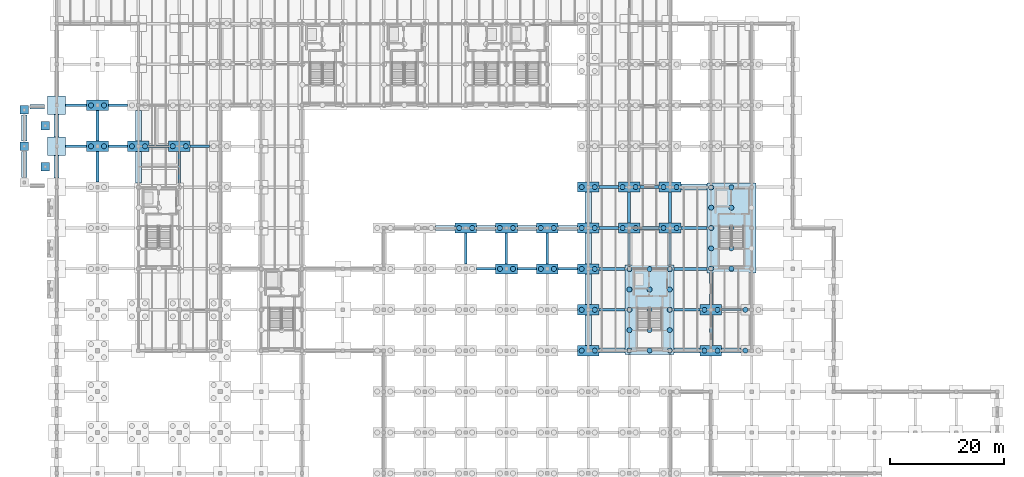
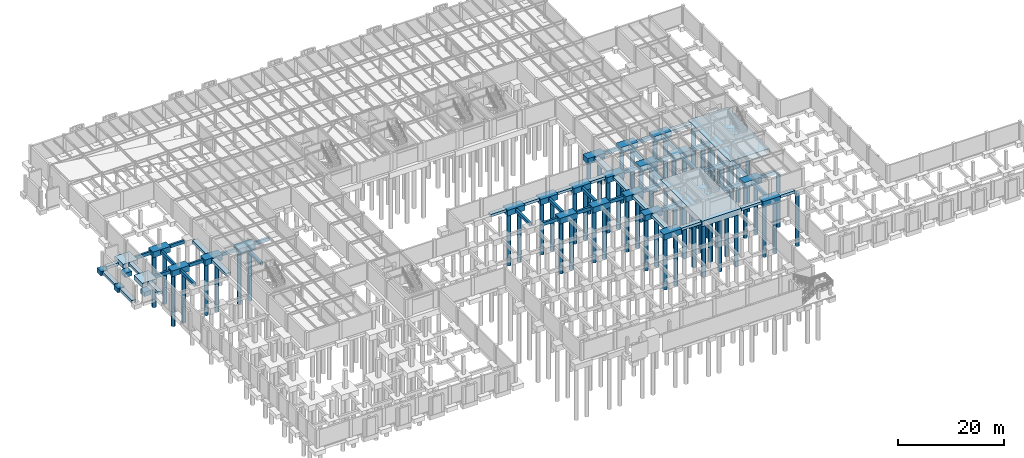
# One storey, part 5 of 46: 78 footings, 67 piles.
"""IFC4 building model written with IfcOpenShell, lengths in metres."""

from ifc_helpers import new_model, si_unit, direction, frame, origin, origin_2d, place, context, subcontext, project, spatial, rectangle, circle, extrude, material, material_profile, profile_set, type_object, element, save


model = new_model("IFC4")

# Units and contexts
model_context = context("Model", 3, precision=1e-05, world=origin(), true_north=direction((0.0, 1.0)))
body_context = subcontext(model_context, "Body", "Model", "MODEL_VIEW")
ifc_project = project(units=[si_unit("LENGTHUNIT", "METRE"), si_unit("AREAUNIT", "SQUARE_METRE"), si_unit("VOLUMEUNIT", "CUBIC_METRE"), si_unit("PLANEANGLEUNIT", "RADIAN"), si_unit("MASSUNIT", "GRAM", prefix="KILO")], contexts=[model_context])

# Site, building, storey
site_placement = place(None, origin())
site = spatial("IfcSite", under=ifc_project, at=site_placement, CompositionType="ELEMENT")
building_placement = place(site_placement, origin())
building = spatial("IfcBuilding", under=site, at=building_placement, Name="Sillqori Civic Hall", CompositionType="ELEMENT")
storey_placement = place(building_placement, frame((0.0, 0.0, -4.199951171875)))
storey = spatial("IfcBuildingStorey", under=building, at=storey_placement, Name="B01", CompositionType="ELEMENT", Elevation=-4.199951171875)

# Footings
ifc_material = material(Name="Concrete C35/45 (H35)", Category="concrete")
footing_type_1 = type_object("IfcFootingType", Name="FB-450X750", PredefinedType="FOOTING_BEAM", material=ifc_material)
for number, where, z_axis, x_axis, name in (
    (1, (10.64990234375, 72.0, -0.969970703125), (0.0, 0.0, 1.0), (1.0, 0.0, 0.0), "Seismic tie beam X 1-10"),
    (2, (10.64990234375, 79.199951171875, -0.969970703125), (0.0, 0.0, 1.0), (1.0, 0.0, 0.0), "Seismic tie beam X 1-11"),
):
    element("IfcFooting", number, at=place(storey_placement, frame(where, z_axis=z_axis, x_axis=x_axis)), inside=storey, type_object=footing_type_1, Name=name, PredefinedType="FOOTING_BEAM", context=body_context, shape_type="SweptSolid", body=[
        extrude(rectangle(XDim=3.699951171875, YDim=0.449951171875, at=origin_2d()), origin(), (0.0, 0.0, 1.0), 0.75),
    ])
footing_1_placement = place(storey_placement, frame((14.39990234375, 68.39990234375, -0.969970703125), z_axis=(0.0, 0.0, 1.0), x_axis=(1.0, 0.0, 0.0)))
element("IfcFooting", 3, at=footing_1_placement, inside=storey, type_object=footing_type_1, Name="Seismic tie beam Y 2-9", PredefinedType="FOOTING_BEAM", context=body_context, shape_type="SweptSolid", body=[
    extrude(rectangle(XDim=0.449951171875, YDim=5.39990234375, at=origin_2d()), origin(), (0.0, 0.0, 1.0), 0.75),
])
footing_2_placement = place(storey_placement, frame((18.0, 72.0, -0.969970703125), z_axis=(0.0, 0.0, 1.0), x_axis=(1.0, 0.0, 0.0)))
element("IfcFooting", 4, at=footing_2_placement, inside=storey, type_object=footing_type_1, Name="Seismic tie beam X 2-10", PredefinedType="FOOTING_BEAM", context=body_context, shape_type="SweptSolid", body=[
    extrude(rectangle(XDim=3.39990234375, YDim=0.449951171875, at=origin_2d()), origin(), (0.0, 0.0, 1.0), 0.75),
])
footing_3_placement = place(storey_placement, frame((14.39990234375, 75.60009765625, -0.969970703125), z_axis=(0.0, 0.0, 1.0), x_axis=(1.0, 0.0, 0.0)))
element("IfcFooting", 5, at=footing_3_placement, inside=storey, type_object=footing_type_1, Name="Seismic tie beam Y 2-10", PredefinedType="FOOTING_BEAM", context=body_context, shape_type="SweptSolid", body=[
    extrude(rectangle(XDim=0.449951171875, YDim=5.39990234375, at=origin_2d()), origin(), (0.0, 0.0, 1.0), 0.75),
])
for number, where, z_axis, x_axis, name in (
    (6, (18.0, 79.199951171875, -0.969970703125), (0.0, 0.0, 1.0), (1.0, 0.0, 0.0), "Seismic tie beam X 2-11"),
    (7, (25.199951171875, 72.0, -0.969970703125), (0.0, 0.0, 1.0), (1.0, 0.0, 0.0), "Seismic tie beam X 3-10"),
):
    element("IfcFooting", number, at=place(storey_placement, frame(where, z_axis=z_axis, x_axis=x_axis)), inside=storey, type_object=footing_type_1, Name=name, PredefinedType="FOOTING_BEAM", context=body_context, shape_type="SweptSolid", body=[
        extrude(rectangle(XDim=3.39990234375, YDim=0.449951171875, at=origin_2d()), origin(), (0.0, 0.0, 1.0), 0.75),
    ])
footing_4_placement = place(storey_placement, frame((28.800048828125, 68.300048828125, -0.969970703125), z_axis=(0.0, 0.0, 1.0), x_axis=(1.0, 0.0, 0.0)))
element("IfcFooting", 8, at=footing_4_placement, inside=storey, type_object=footing_type_1, Name="Seismic tie beam Y 4-9", PredefinedType="FOOTING_BEAM", context=body_context, shape_type="SweptSolid", body=[
    extrude(rectangle(XDim=0.449951171875, YDim=5.60009765625, at=origin_2d()), origin(), (0.0, 0.0, 1.0), 0.75),
])
for number, where, z_axis, x_axis, name in (
    (9, (32.39990234375, 72.0, -0.969970703125), (0.0, 0.0, 1.0), (1.0, 0.0, 0.0), "Seismic tie beam X 4-10"),
    (10, (82.800048828125, 50.39990234375, -0.969970703125), (0.0, 0.0, 1.0), (1.0, 0.0, 0.0), "Seismic tie beam X 11-7"),
):
    element("IfcFooting", number, at=place(storey_placement, frame(where, z_axis=z_axis, x_axis=x_axis)), inside=storey, type_object=footing_type_1, Name=name, PredefinedType="FOOTING_BEAM", context=body_context, shape_type="SweptSolid", body=[
        extrude(rectangle(XDim=3.39990234375, YDim=0.449951171875, at=origin_2d()), origin(), (0.0, 0.0, 1.0), 0.75),
    ])
footing_5_placement = place(storey_placement, frame((79.199951171875, 54.0, -0.969970703125), z_axis=(0.0, 0.0, 1.0), x_axis=(1.0, 0.0, 0.0)))
element("IfcFooting", 11, at=footing_5_placement, inside=storey, type_object=footing_type_1, Name="Seismic tie beam Y 11-7", PredefinedType="FOOTING_BEAM", context=body_context, shape_type="SweptSolid", body=[
    extrude(rectangle(XDim=0.449951171875, YDim=5.39990234375, at=origin_2d()), origin(), (0.0, 0.0, 1.0), 0.75),
])
footing_6_placement = place(storey_placement, frame((90.0, 50.39990234375, -0.969970703125), z_axis=(0.0, 0.0, 1.0), x_axis=(1.0, 0.0, 0.0)))
element("IfcFooting", 12, at=footing_6_placement, inside=storey, type_object=footing_type_1, Name="Seismic tie beam X 12-7", PredefinedType="FOOTING_BEAM", context=body_context, shape_type="SweptSolid", body=[
    extrude(rectangle(XDim=3.39990234375, YDim=0.449951171875, at=origin_2d()), origin(), (0.0, 0.0, 1.0), 0.75),
])
footing_7_placement = place(storey_placement, frame((86.39990234375, 54.0, -0.969970703125), z_axis=(0.0, 0.0, 1.0), x_axis=(1.0, 0.0, 0.0)))
element("IfcFooting", 13, at=footing_7_placement, inside=storey, type_object=footing_type_1, Name="Seismic tie beam Y 12-7", PredefinedType="FOOTING_BEAM", context=body_context, shape_type="SweptSolid", body=[
    extrude(rectangle(XDim=0.449951171875, YDim=5.39990234375, at=origin_2d()), origin(), (0.0, 0.0, 1.0), 0.75),
])
footing_8_placement = place(storey_placement, frame((97.199951171875, 50.39990234375, -0.969970703125), z_axis=(0.0, 0.0, 1.0), x_axis=(1.0, 0.0, 0.0)))
element("IfcFooting", 14, at=footing_8_placement, inside=storey, type_object=footing_type_1, Name="Seismic tie beam X 13-7", PredefinedType="FOOTING_BEAM", context=body_context, shape_type="SweptSolid", body=[
    extrude(rectangle(XDim=3.39990234375, YDim=0.449951171875, at=origin_2d()), origin(), (0.0, 0.0, 1.0), 0.75),
])
footing_9_placement = place(storey_placement, frame((93.60009765625, 54.0, -0.969970703125), z_axis=(0.0, 0.0, 1.0), x_axis=(1.0, 0.0, 0.0)))
element("IfcFooting", 15, at=footing_9_placement, inside=storey, type_object=footing_type_1, Name="Seismic tie beam Y 13-7", PredefinedType="FOOTING_BEAM", context=body_context, shape_type="SweptSolid", body=[
    extrude(rectangle(XDim=0.449951171875, YDim=5.39990234375, at=origin_2d()), origin(), (0.0, 0.0, 1.0), 0.75),
])
footing_type_2 = type_object("IfcFootingType", Name="FB-500X800", PredefinedType="FOOTING_BEAM", material=ifc_material)
for number, where, z_axis, x_axis, name in (
    (16, (105.0, 43.199951171875, -1.02001953125), (0.0, 0.0, 1.0), (1.0, 0.0, 0.0), "Seismic tie beam X 14-6"),
    (17, (105.0, 50.39990234375, -1.02001953125), (0.0, 0.0, 1.0), (1.0, 0.0, 0.0), "Seismic tie beam X 14-7"),
):
    element("IfcFooting", number, at=place(storey_placement, frame(where, z_axis=z_axis, x_axis=x_axis)), inside=storey, type_object=footing_type_2, Name=name, PredefinedType="FOOTING_BEAM", context=body_context, shape_type="SweptSolid", body=[
        extrude(rectangle(XDim=4.60009765625, YDim=0.5, at=origin_2d()), origin(), (0.0, 0.0, 1.0), 0.800048828125),
    ])
for number, where, z_axis, x_axis, name in (
    (18, (104.39990234375, 57.60009765625, -1.02001953125), (0.0, 0.0, 1.0), (1.0, 0.0, 0.0), "Seismic tie beam X 14-8"),
    (19, (104.39990234375, 64.800048828125, -1.02001953125), (0.0, 0.0, 1.0), (1.0, 0.0, 0.0), "Seismic tie beam X 14-9"),
):
    element("IfcFooting", number, at=place(storey_placement, frame(where, z_axis=z_axis, x_axis=x_axis)), inside=storey, type_object=footing_type_2, Name=name, PredefinedType="FOOTING_BEAM", context=body_context, shape_type="SweptSolid", body=[
        extrude(rectangle(XDim=3.39990234375, YDim=0.5, at=origin_2d()), origin(), (0.0, 0.0, 1.0), 0.800048828125),
    ])
footing_10_placement = place(storey_placement, frame((108.0, 53.89990234375, -1.02001953125), z_axis=(0.0, 0.0, 1.0), x_axis=(1.0, 0.0, 0.0)))
element("IfcFooting", 20, at=footing_10_placement, inside=storey, type_object=footing_type_2, Name="Seismic tie beam Y 15-7", PredefinedType="FOOTING_BEAM", context=body_context, shape_type="SweptSolid", body=[
    extrude(rectangle(XDim=0.5, YDim=5.60009765625, at=origin_2d()), origin(), (0.0, 0.0, 1.0), 0.800048828125),
])
footing_11_placement = place(storey_placement, frame((111.60009765625, 57.60009765625, -1.02001953125), z_axis=(0.0, 0.0, 1.0), x_axis=(1.0, 0.0, 0.0)))
element("IfcFooting", 21, at=footing_11_placement, inside=storey, type_object=footing_type_2, Name="Seismic tie beam X 15-8", PredefinedType="FOOTING_BEAM", context=body_context, shape_type="SweptSolid", body=[
    extrude(rectangle(XDim=3.39990234375, YDim=0.5, at=origin_2d()), origin(), (0.0, 0.0, 1.0), 0.800048828125),
])
footing_12_placement = place(storey_placement, frame((108.0, 61.199951171875, -1.02001953125), z_axis=(0.0, 0.0, 1.0), x_axis=(1.0, 0.0, 0.0)))
element("IfcFooting", 22, at=footing_12_placement, inside=storey, type_object=footing_type_2, Name="Seismic tie beam Y 15-8", PredefinedType="FOOTING_BEAM", context=body_context, shape_type="SweptSolid", body=[
    extrude(rectangle(XDim=0.5, YDim=5.39990234375, at=origin_2d()), origin(), (0.0, 0.0, 1.0), 0.800048828125),
])
footing_13_placement = place(storey_placement, frame((111.60009765625, 64.800048828125, -1.02001953125), z_axis=(0.0, 0.0, 1.0), x_axis=(1.0, 0.0, 0.0)))
element("IfcFooting", 23, at=footing_13_placement, inside=storey, type_object=footing_type_2, Name="Seismic tie beam X 15-9", PredefinedType="FOOTING_BEAM", context=body_context, shape_type="SweptSolid", body=[
    extrude(rectangle(XDim=3.39990234375, YDim=0.5, at=origin_2d()), origin(), (0.0, 0.0, 1.0), 0.800048828125),
])
footing_14_placement = place(storey_placement, frame((118.199951171875, 43.199951171875, -1.02001953125), z_axis=(0.0, 0.0, 1.0), x_axis=(1.0, 0.0, 0.0)))
element("IfcFooting", 24, at=footing_14_placement, inside=storey, type_object=footing_type_2, Name="Seismic tie beam X 16-6", PredefinedType="FOOTING_BEAM", context=body_context, shape_type="SweptSolid", body=[
    extrude(rectangle(XDim=4.60009765625, YDim=0.5, at=origin_2d()), origin(), (0.0, 0.0, 1.0), 0.800048828125),
])
footing_15_placement = place(storey_placement, frame((118.800048828125, 50.39990234375, -1.02001953125), z_axis=(0.0, 0.0, 1.0), x_axis=(1.0, 0.0, 0.0)))
element("IfcFooting", 25, at=footing_15_placement, inside=storey, type_object=footing_type_2, Name="Seismic tie beam X 16-7", PredefinedType="FOOTING_BEAM", context=body_context, shape_type="SweptSolid", body=[
    extrude(rectangle(XDim=5.800048828125, YDim=0.5, at=origin_2d()), origin(), (0.0, 0.0, 1.0), 0.800048828125),
])
footing_16_placement = place(storey_placement, frame((115.199951171875, 53.89990234375, -1.02001953125), z_axis=(0.0, 0.0, 1.0), x_axis=(1.0, 0.0, 0.0)))
element("IfcFooting", 26, at=footing_16_placement, inside=storey, type_object=footing_type_2, Name="Seismic tie beam Y 16-7", PredefinedType="FOOTING_BEAM", context=body_context, shape_type="SweptSolid", body=[
    extrude(rectangle(XDim=0.5, YDim=5.60009765625, at=origin_2d()), origin(), (0.0, 0.0, 1.0), 0.800048828125),
])
footing_17_placement = place(storey_placement, frame((119.39990234375, 57.60009765625, -1.02001953125), z_axis=(0.0, 0.0, 1.0), x_axis=(1.0, 0.0, 0.0)))
element("IfcFooting", 27, at=footing_17_placement, inside=storey, type_object=footing_type_2, Name="Seismic tie beam X 16-8", PredefinedType="FOOTING_BEAM", context=body_context, shape_type="SweptSolid", body=[
    extrude(rectangle(XDim=4.60009765625, YDim=0.5, at=origin_2d()), origin(), (0.0, 0.0, 1.0), 0.800048828125),
])
for number, where, z_axis, x_axis, name in (
    (28, (115.199951171875, 61.199951171875, -1.02001953125), (0.0, 0.0, 1.0), (1.0, 0.0, 0.0), "Seismic tie beam Y 16-8"),
    (29, (122.39990234375, 39.60009765625, -1.02001953125), (0.0, 0.0, 1.0), (1.0, 0.0, 0.0), "Seismic tie beam Y 17-5"),
):
    element("IfcFooting", number, at=place(storey_placement, frame(where, z_axis=z_axis, x_axis=x_axis)), inside=storey, type_object=footing_type_2, Name=name, PredefinedType="FOOTING_BEAM", context=body_context, shape_type="SweptSolid", body=[
        extrude(rectangle(XDim=0.5, YDim=5.39990234375, at=origin_2d()), origin(), (0.0, 0.0, 1.0), 0.800048828125),
    ])
footing_18_placement = place(storey_placement, frame((126.0, 43.199951171875, -1.02001953125), z_axis=(0.0, 0.0, 1.0), x_axis=(1.0, 0.0, 0.0)))
element("IfcFooting", 30, at=footing_18_placement, inside=storey, type_object=footing_type_2, Name="Seismic tie beam X 17-6", PredefinedType="FOOTING_BEAM", context=body_context, shape_type="SweptSolid", body=[
    extrude(rectangle(XDim=3.39990234375, YDim=0.5, at=origin_2d()), origin(), (0.0, 0.0, 1.0), 0.800048828125),
])
footing_19_placement = place(storey_placement, frame((122.39990234375, 46.89990234375, -1.02001953125), z_axis=(0.0, 0.0, 1.0), x_axis=(1.0, 0.0, 0.0)))
element("IfcFooting", 31, at=footing_19_placement, inside=storey, type_object=footing_type_2, Name="Seismic tie beam Y 17-6", PredefinedType="FOOTING_BEAM", context=body_context, shape_type="SweptSolid", body=[
    extrude(rectangle(XDim=0.5, YDim=5.60009765625, at=origin_2d()), origin(), (0.0, 0.0, 1.0), 0.800048828125),
])
footing_type_3 = type_object("IfcFootingType", Name="PC-2P", PredefinedType="PILE_CAP", material=ifc_material)
for number, where, z_axis, x_axis, name in (
    (32, (14.39990234375, 72.0, -1.30029296875), (0.0, 0.0, 1.0), (1.0, 0.0, 0.0), "Pile cap 2-10"),
    (33, (14.39990234375, 79.199951171875, -1.30029296875), (0.0, 0.0, 1.0), (1.0, 0.0, 0.0), "Pile cap 2-11"),
    (34, (21.60009765625, 72.0, -1.30029296875), (0.0, 0.0, 1.0), (1.0, 0.0, 0.0), "Pile cap 3-10"),
    (35, (28.800048828125, 72.0, -1.30029296875), (0.0, 0.0, 1.0), (1.0, 0.0, 0.0), "Pile cap 4-10"),
    (36, (79.199951171875, 57.60009765625, -1.30029296875), (0.0, 0.0, 1.0), (1.0, 0.0, 0.0), "Pile cap 11-8"),
    (37, (86.39990234375, 50.39990234375, -1.30029296875), (0.0, 0.0, 1.0), (1.0, 0.0, 0.0), "Pile cap 12-7"),
    (38, (86.39990234375, 57.60009765625, -1.30029296875), (0.0, 0.0, 1.0), (1.0, 0.0, 0.0), "Pile cap 12-8"),
    (39, (93.60009765625, 50.39990234375, -1.30029296875), (0.0, 0.0, 1.0), (1.0, 0.0, 0.0), "Pile cap 13-7"),
    (40, (93.60009765625, 57.60009765625, -1.30029296875), (0.0, 0.0, 1.0), (1.0, 0.0, 0.0), "Pile cap 13-8"),
    (41, (100.800048828125, 36.0, -1.30029296875), (0.0, 0.0, 1.0), (1.0, 0.0, 0.0), "Pile cap 14-5"),
    (42, (100.800048828125, 43.199951171875, -1.30029296875), (0.0, 0.0, 1.0), (1.0, 0.0, 0.0), "Pile cap 14-6"),
    (43, (100.800048828125, 50.39990234375, -1.30029296875), (0.0, 0.0, 1.0), (1.0, 0.0, 0.0), "Pile cap 14-7"),
    (44, (100.800048828125, 57.60009765625, -1.30029296875), (0.0, 0.0, 1.0), (1.0, 0.0, 0.0), "Pile cap 14-8"),
    (45, (100.800048828125, 64.800048828125, -1.30029296875), (0.0, 0.0, 1.0), (1.0, 0.0, 0.0), "Pile cap 14-9"),
    (46, (108.0, 57.60009765625, -1.30029296875), (0.0, 0.0, 1.0), (1.0, 0.0, 0.0), "Pile cap 15-8"),
    (47, (108.0, 64.800048828125, -1.30029296875), (0.0, 0.0, 1.0), (1.0, 0.0, 0.0), "Pile cap 15-9"),
    (48, (115.199951171875, 57.60009765625, -1.30029296875), (0.0, 0.0, 1.0), (1.0, 0.0, 0.0), "Pile cap 16-8"),
    (49, (115.199951171875, 64.800048828125, -1.30029296875), (0.0, 0.0, 1.0), (1.0, 0.0, 0.0), "Pile cap 16-9"),
    (50, (122.39990234375, 36.0, -1.30029296875), (0.0, 0.0, 1.0), (1.0, 0.0, 0.0), "Pile cap 17-5"),
    (51, (122.39990234375, 43.199951171875, -1.30029296875), (0.0, 0.0, 1.0), (1.0, 0.0, 0.0), "Pile cap 17-6"),
):
    element("IfcFooting", number, at=place(storey_placement, frame(where, z_axis=z_axis, x_axis=x_axis)), inside=storey, type_object=footing_type_3, Name=name, PredefinedType="PILE_CAP", context=body_context, shape_type="SweptSolid", body=[
        extrude(rectangle(XDim=3.800048828125, YDim=1.800048828125, at=origin_2d()), origin(), (0.0, 0.0, 1.0), 1.300048828125),
    ])
footing_type_4 = type_object("IfcFootingType", Name="PC-CORE", PredefinedType="PILE_CAP", material=ifc_material)
for number, where, z_axis, x_axis, name in (
    (52, (126.0, 57.60009765625, -1.30029296875), (0.0, 0.0, 1.0), (1.0, 0.0, 0.0), "Core mat pile cap C2"),
    (53, (111.60009765625, 43.199951171875, -1.30029296875), (0.0, 0.0, 1.0), (1.0, 0.0, 0.0), "Core mat pile cap C3"),
):
    element("IfcFooting", number, at=place(storey_placement, frame(where, z_axis=z_axis, x_axis=x_axis)), inside=storey, type_object=footing_type_4, Name=name, PredefinedType="PILE_CAP", context=body_context, shape_type="SweptSolid", body=[
        extrude(rectangle(XDim=8.60009765625, YDim=15.800048828125, at=origin_2d()), origin(), (0.0, 0.0, 1.0), 1.300048828125),
    ])
footing_type_5 = type_object("IfcFootingType", Name="PF-1500", PredefinedType="PAD_FOOTING", material=ifc_material)
for number, where, z_axis, x_axis, name in (
    (54, (1.5, 72.0, -1.0), (0.0, 0.0, 1.0), (1.0, 0.0, 0.0), "Truck loading dock grade apron footing 2"),
    (55, (1.5, 78.39990234375, -1.0), (0.0, 0.0, 1.0), (1.0, 0.0, 0.0), "Truck loading dock grade apron footing 3"),
    (56, (5.199951171875, 68.39990234375, -1.0), (0.0, 0.0, 1.0), (1.0, 0.0, 0.0), "Truck loading dock grade apron footing 4"),
    (57, (5.199951171875, 75.60009765625, -1.0), (0.0, 0.0, 1.0), (1.0, 0.0, 0.0), "Truck loading dock grade apron footing 5"),
):
    element("IfcFooting", number, at=place(storey_placement, frame(where, z_axis=z_axis, x_axis=x_axis)), inside=storey, type_object=footing_type_5, Name=name, PredefinedType="PAD_FOOTING", context=body_context, shape_type="SweptSolid", body=[
        extrude(rectangle(XDim=1.5, YDim=1.5, at=origin_2d()), origin(), (0.0, 0.0, 1.0), 1.0),
    ])
footing_type_6 = type_object("IfcFootingType", Name="PF-3200", PredefinedType="PAD_FOOTING", material=ifc_material)
for number, where, z_axis, x_axis, name in (
    (58, (7.199951171875, 72.0, -1.0), (0.0, 0.0, 1.0), (1.0, 0.0, 0.0), "Spread footing 1-10"),
    (59, (7.199951171875, 79.199951171875, -1.0), (0.0, 0.0, 1.0), (1.0, 0.0, 0.0), "Spread footing 1-11"),
):
    element("IfcFooting", number, at=place(storey_placement, frame(where, z_axis=z_axis, x_axis=x_axis)), inside=storey, type_object=footing_type_6, Name=name, PredefinedType="PAD_FOOTING", context=body_context, shape_type="SweptSolid", body=[
        extrude(rectangle(XDim=3.199951171875, YDim=3.199951171875, at=origin_2d()), origin(), (0.0, 0.0, 1.0), 1.0),
    ])

# Piles
ifc_material_profile = material_profile(ifc_material, circle(Radius=0.449951171875, at=origin_2d()), Name="BORED PILE 900")
ifc_profile_set = profile_set([ifc_material_profile], Name="Concrete C35/45 (H35)")
pile_type = type_object("IfcPileType", Name="PILE-BORED-900", PredefinedType="BORED", material=ifc_profile_set)
for number, where, z_axis, x_axis, name in (
    (60, (122.449951171875, 50.449951171875, -1.199951171875), (0.0, 0.0, -1.0), (1.0, 0.0, 0.0), "Bored pile FTG-CAP-C2-01"),
    (61, (122.449951171875, 54.02490234375, -1.199951171875), (0.0, 0.0, -1.0), (1.0, 0.0, 0.0), "Bored pile FTG-CAP-C2-02"),
    (62, (122.449951171875, 57.60009765625, -1.199951171875), (0.0, 0.0, -1.0), (1.0, 0.0, 0.0), "Bored pile FTG-CAP-C2-03"),
    (63, (122.449951171875, 61.175048828125, -1.199951171875), (0.0, 0.0, -1.0), (1.0, 0.0, 0.0), "Bored pile FTG-CAP-C2-04"),
    (64, (122.449951171875, 64.75, -1.199951171875), (0.0, 0.0, -1.0), (1.0, 0.0, 0.0), "Bored pile FTG-CAP-C2-05"),
    (65, (126.0, 50.449951171875, -1.199951171875), (0.0, 0.0, -1.0), (1.0, 0.0, 0.0), "Bored pile FTG-CAP-C2-06"),
    (66, (126.0, 54.02490234375, -1.199951171875), (0.0, 0.0, -1.0), (1.0, 0.0, 0.0), "Bored pile FTG-CAP-C2-07"),
    (67, (126.0, 57.60009765625, -1.199951171875), (0.0, 0.0, -1.0), (1.0, 0.0, 0.0), "Bored pile FTG-CAP-C2-08"),
    (68, (126.0, 61.175048828125, -1.199951171875), (0.0, 0.0, -1.0), (1.0, 0.0, 0.0), "Bored pile FTG-CAP-C2-09"),
    (69, (126.0, 64.75, -1.199951171875), (0.0, 0.0, -1.0), (1.0, 0.0, 0.0), "Bored pile FTG-CAP-C2-10"),
    (70, (108.050048828125, 36.050048828125, -1.199951171875), (0.0, 0.0, -1.0), (1.0, 0.0, 0.0), "Bored pile FTG-CAP-C3-01"),
    (71, (108.050048828125, 39.625, -1.199951171875), (0.0, 0.0, -1.0), (1.0, 0.0, 0.0), "Bored pile FTG-CAP-C3-02"),
    (72, (108.050048828125, 43.199951171875, -1.199951171875), (0.0, 0.0, -1.0), (1.0, 0.0, 0.0), "Bored pile FTG-CAP-C3-03"),
    (73, (108.050048828125, 46.77490234375, -1.199951171875), (0.0, 0.0, -1.0), (1.0, 0.0, 0.0), "Bored pile FTG-CAP-C3-04"),
    (74, (108.050048828125, 50.35009765625, -1.199951171875), (0.0, 0.0, -1.0), (1.0, 0.0, 0.0), "Bored pile FTG-CAP-C3-05"),
    (75, (111.60009765625, 36.050048828125, -1.199951171875), (0.0, 0.0, -1.0), (1.0, 0.0, 0.0), "Bored pile FTG-CAP-C3-06"),
    (76, (111.60009765625, 39.625, -1.199951171875), (0.0, 0.0, -1.0), (1.0, 0.0, 0.0), "Bored pile FTG-CAP-C3-07"),
    (77, (111.60009765625, 43.199951171875, -1.199951171875), (0.0, 0.0, -1.0), (1.0, 0.0, 0.0), "Bored pile FTG-CAP-C3-08"),
    (78, (111.60009765625, 46.77490234375, -1.199951171875), (0.0, 0.0, -1.0), (1.0, 0.0, 0.0), "Bored pile FTG-CAP-C3-09"),
    (79, (111.60009765625, 50.35009765625, -1.199951171875), (0.0, 0.0, -1.0), (1.0, 0.0, 0.0), "Bored pile FTG-CAP-C3-10"),
    (80, (115.14990234375, 36.050048828125, -1.199951171875), (0.0, 0.0, -1.0), (1.0, 0.0, 0.0), "Bored pile FTG-CAP-C3-11"),
    (81, (115.14990234375, 39.625, -1.199951171875), (0.0, 0.0, -1.0), (1.0, 0.0, 0.0), "Bored pile FTG-CAP-C3-12"),
    (82, (115.14990234375, 43.199951171875, -1.199951171875), (0.0, 0.0, -1.0), (1.0, 0.0, 0.0), "Bored pile FTG-CAP-C3-13"),
    (83, (115.14990234375, 46.77490234375, -1.199951171875), (0.0, 0.0, -1.0), (1.0, 0.0, 0.0), "Bored pile FTG-CAP-C3-14"),
    (84, (115.14990234375, 50.35009765625, -1.199951171875), (0.0, 0.0, -1.0), (1.0, 0.0, 0.0), "Bored pile FTG-CAP-C3-15"),
    (85, (13.25, 72.0, -1.199951171875), (0.0, 0.0, -1.0), (1.0, 0.0, 0.0), "Bored pile FTG-PC-02-10-01"),
    (86, (15.550048828125, 72.0, -1.199951171875), (0.0, 0.0, -1.0), (1.0, 0.0, 0.0), "Bored pile FTG-PC-02-10-02"),
    (87, (13.25, 79.199951171875, -1.199951171875), (0.0, 0.0, -1.0), (1.0, 0.0, 0.0), "Bored pile FTG-PC-02-11-01"),
    (88, (15.550048828125, 79.199951171875, -1.199951171875), (0.0, 0.0, -1.0), (1.0, 0.0, 0.0), "Bored pile FTG-PC-02-11-02"),
    (89, (20.449951171875, 72.0, -1.199951171875), (0.0, 0.0, -1.0), (1.0, 0.0, 0.0), "Bored pile FTG-PC-03-10-01"),
    (90, (22.75, 72.0, -1.199951171875), (0.0, 0.0, -1.0), (1.0, 0.0, 0.0), "Bored pile FTG-PC-03-10-02"),
    (91, (27.64990234375, 72.0, -1.199951171875), (0.0, 0.0, -1.0), (1.0, 0.0, 0.0), "Bored pile FTG-PC-04-10-01"),
    (92, (29.949951171875, 72.0, -1.199951171875), (0.0, 0.0, -1.0), (1.0, 0.0, 0.0), "Bored pile FTG-PC-04-10-02"),
    (93, (78.050048828125, 57.60009765625, -1.199951171875), (0.0, 0.0, -1.0), (1.0, 0.0, 0.0), "Bored pile FTG-PC-11-08-01"),
    (94, (80.35009765625, 57.60009765625, -1.199951171875), (0.0, 0.0, -1.0), (1.0, 0.0, 0.0), "Bored pile FTG-PC-11-08-02"),
    (95, (85.25, 50.39990234375, -1.199951171875), (0.0, 0.0, -1.0), (1.0, 0.0, 0.0), "Bored pile FTG-PC-12-07-01"),
    (96, (87.550048828125, 50.39990234375, -1.199951171875), (0.0, 0.0, -1.0), (1.0, 0.0, 0.0), "Bored pile FTG-PC-12-07-02"),
    (97, (85.25, 57.60009765625, -1.199951171875), (0.0, 0.0, -1.0), (1.0, 0.0, 0.0), "Bored pile FTG-PC-12-08-01"),
    (98, (87.550048828125, 57.60009765625, -1.199951171875), (0.0, 0.0, -1.0), (1.0, 0.0, 0.0), "Bored pile FTG-PC-12-08-02"),
    (99, (92.449951171875, 50.39990234375, -1.199951171875), (0.0, 0.0, -1.0), (1.0, 0.0, 0.0), "Bored pile FTG-PC-13-07-01"),
    (100, (94.75, 50.39990234375, -1.199951171875), (0.0, 0.0, -1.0), (1.0, 0.0, 0.0), "Bored pile FTG-PC-13-07-02"),
    (101, (92.449951171875, 57.60009765625, -1.199951171875), (0.0, 0.0, -1.0), (1.0, 0.0, 0.0), "Bored pile FTG-PC-13-08-01"),
    (102, (94.75, 57.60009765625, -1.199951171875), (0.0, 0.0, -1.0), (1.0, 0.0, 0.0), "Bored pile FTG-PC-13-08-02"),
    (103, (99.64990234375, 36.0, -1.199951171875), (0.0, 0.0, -1.0), (1.0, 0.0, 0.0), "Bored pile FTG-PC-14-05-01"),
    (104, (101.949951171875, 36.0, -1.199951171875), (0.0, 0.0, -1.0), (1.0, 0.0, 0.0), "Bored pile FTG-PC-14-05-02"),
    (105, (99.64990234375, 43.199951171875, -1.199951171875), (0.0, 0.0, -1.0), (1.0, 0.0, 0.0), "Bored pile FTG-PC-14-06-01"),
    (106, (101.949951171875, 43.199951171875, -1.199951171875), (0.0, 0.0, -1.0), (1.0, 0.0, 0.0), "Bored pile FTG-PC-14-06-02"),
    (107, (99.64990234375, 50.39990234375, -1.199951171875), (0.0, 0.0, -1.0), (1.0, 0.0, 0.0), "Bored pile FTG-PC-14-07-01"),
    (108, (101.949951171875, 50.39990234375, -1.199951171875), (0.0, 0.0, -1.0), (1.0, 0.0, 0.0), "Bored pile FTG-PC-14-07-02"),
    (109, (99.64990234375, 57.60009765625, -1.199951171875), (0.0, 0.0, -1.0), (1.0, 0.0, 0.0), "Bored pile FTG-PC-14-08-01"),
    (110, (101.949951171875, 57.60009765625, -1.199951171875), (0.0, 0.0, -1.0), (1.0, 0.0, 0.0), "Bored pile FTG-PC-14-08-02"),
    (111, (99.64990234375, 64.800048828125, -1.199951171875), (0.0, 0.0, -1.0), (1.0, 0.0, 0.0), "Bored pile FTG-PC-14-09-01"),
    (112, (101.949951171875, 64.800048828125, -1.199951171875), (0.0, 0.0, -1.0), (1.0, 0.0, 0.0), "Bored pile FTG-PC-14-09-02"),
    (113, (106.85009765625, 57.60009765625, -1.199951171875), (0.0, 0.0, -1.0), (1.0, 0.0, 0.0), "Bored pile FTG-PC-15-08-01"),
    (114, (109.14990234375, 57.60009765625, -1.199951171875), (0.0, 0.0, -1.0), (1.0, 0.0, 0.0), "Bored pile FTG-PC-15-08-02"),
    (115, (106.85009765625, 64.800048828125, -1.199951171875), (0.0, 0.0, -1.0), (1.0, 0.0, 0.0), "Bored pile FTG-PC-15-09-01"),
    (116, (109.14990234375, 64.800048828125, -1.199951171875), (0.0, 0.0, -1.0), (1.0, 0.0, 0.0), "Bored pile FTG-PC-15-09-02"),
    (117, (114.050048828125, 57.60009765625, -1.199951171875), (0.0, 0.0, -1.0), (1.0, 0.0, 0.0), "Bored pile FTG-PC-16-08-01"),
    (118, (116.35009765625, 57.60009765625, -1.199951171875), (0.0, 0.0, -1.0), (1.0, 0.0, 0.0), "Bored pile FTG-PC-16-08-02"),
    (119, (114.050048828125, 64.800048828125, -1.199951171875), (0.0, 0.0, -1.0), (1.0, 0.0, 0.0), "Bored pile FTG-PC-16-09-01"),
    (120, (116.35009765625, 64.800048828125, -1.199951171875), (0.0, 0.0, -1.0), (1.0, 0.0, 0.0), "Bored pile FTG-PC-16-09-02"),
    (121, (121.25, 36.0, -1.199951171875), (0.0, 0.0, -1.0), (1.0, 0.0, 0.0), "Bored pile FTG-PC-17-05-01"),
    (122, (123.550048828125, 36.0, -1.199951171875), (0.0, 0.0, -1.0), (1.0, 0.0, 0.0), "Bored pile FTG-PC-17-05-02"),
    (123, (121.25, 43.199951171875, -1.199951171875), (0.0, 0.0, -1.0), (1.0, 0.0, 0.0), "Bored pile FTG-PC-17-06-01"),
    (124, (123.550048828125, 43.199951171875, -1.199951171875), (0.0, 0.0, -1.0), (1.0, 0.0, 0.0), "Bored pile FTG-PC-17-06-02"),
    (125, (128.449951171875, 36.0, -1.199951171875), (0.0, 0.0, -1.0), (1.0, 0.0, 0.0), "Bored pile FTG-PC-18-05-01"),
    (126, (128.449951171875, 43.199951171875, -1.199951171875), (0.0, 0.0, -1.0), (1.0, 0.0, 0.0), "Bored pile FTG-PC-18-06-01"),
):
    element("IfcPile", number, at=place(storey_placement, frame(where, z_axis=z_axis, x_axis=x_axis)), inside=storey, type_object=pile_type, Name=name, PredefinedType="BORED", context=body_context, shape_type="SweptSolid", body=[
        extrude(circle(Radius=0.449951171875, at=origin_2d()), origin(), (0.0, 0.0, 1.0), 12.10009765625),
    ])

# Footings
footing_type_7 = type_object("IfcFootingType", Name="SF-1100X650", PredefinedType="STRIP_FOOTING", material=ifc_material)
footing_20_placement = place(storey_placement, frame((21.60009765625, 68.300048828125, -0.8701171875), z_axis=(0.0, 0.0, 1.0), x_axis=(1.0, 0.0, 0.0)))
element("IfcFooting", 127, at=footing_20_placement, inside=storey, type_object=footing_type_7, Name="Perimeter strip footing W 3-9", PredefinedType="STRIP_FOOTING", context=body_context, shape_type="SweptSolid", body=[
    extrude(rectangle(XDim=1.10009765625, YDim=5.60009765625, at=origin_2d()), origin(), (0.0, 0.0, 1.0), 0.64990234375),
])
for number, where, z_axis, x_axis, name in (
    (128, (21.60009765625, 75.60009765625, -0.8701171875), (0.0, 0.0, 1.0), (1.0, 0.0, 0.0), "Perimeter strip footing W 3-10"),
    (129, (100.800048828125, 39.60009765625, -0.8701171875), (0.0, 0.0, 1.0), (1.0, 0.0, 0.0), "Perimeter strip footing W 14-5"),
    (130, (100.800048828125, 46.800048828125, -0.8701171875), (0.0, 0.0, 1.0), (1.0, 0.0, 0.0), "Perimeter strip footing W 14-6"),
    (131, (100.800048828125, 54.0, -0.8701171875), (0.0, 0.0, 1.0), (1.0, 0.0, 0.0), "Perimeter strip footing W 14-7"),
    (132, (100.800048828125, 61.199951171875, -0.8701171875), (0.0, 0.0, 1.0), (1.0, 0.0, 0.0), "Perimeter strip footing W 14-8"),
):
    element("IfcFooting", number, at=place(storey_placement, frame(where, z_axis=z_axis, x_axis=x_axis)), inside=storey, type_object=footing_type_7, Name=name, PredefinedType="STRIP_FOOTING", context=body_context, shape_type="SweptSolid", body=[
        extrude(rectangle(XDim=1.10009765625, YDim=5.39990234375, at=origin_2d()), origin(), (0.0, 0.0, 1.0), 0.64990234375),
    ])
footing_21_placement = place(storey_placement, frame((119.39990234375, 64.800048828125, -0.8701171875), z_axis=(0.0, 0.0, 1.0), x_axis=(1.0, 0.0, 0.0)))
element("IfcFooting", 133, at=footing_21_placement, inside=storey, type_object=footing_type_7, Name="Perimeter strip footing N 16-8", PredefinedType="STRIP_FOOTING", context=body_context, shape_type="SweptSolid", body=[
    extrude(rectangle(XDim=4.60009765625, YDim=1.10009765625, at=origin_2d()), origin(), (0.0, 0.0, 1.0), 0.64990234375),
])
footing_type_8 = type_object("IfcFootingType", Name="SF-900X600", PredefinedType="STRIP_FOOTING", material=ifc_material)
for number, where, z_axis, x_axis, name in (
    (134, (105.0, 36.0, -0.820068359375), (0.0, 0.0, 1.0), (1.0, 0.0, 0.0), "Perimeter strip footing S 14-5"),
    (135, (118.199951171875, 36.0, -0.820068359375), (0.0, 0.0, 1.0), (1.0, 0.0, 0.0), "Perimeter strip footing S 16-5"),
):
    element("IfcFooting", number, at=place(storey_placement, frame(where, z_axis=z_axis, x_axis=x_axis)), inside=storey, type_object=footing_type_8, Name=name, PredefinedType="STRIP_FOOTING", context=body_context, shape_type="SweptSolid", body=[
        extrude(rectangle(XDim=4.60009765625, YDim=0.89990234375, at=origin_2d()), origin(), (0.0, 0.0, 1.0), 0.60009765625),
    ])
footing_22_placement = place(storey_placement, frame((126.0, 36.0, -0.820068359375), z_axis=(0.0, 0.0, 1.0), x_axis=(1.0, 0.0, 0.0)))
element("IfcFooting", 136, at=footing_22_placement, inside=storey, type_object=footing_type_8, Name="Perimeter strip footing S 17-5", PredefinedType="STRIP_FOOTING", context=body_context, shape_type="SweptSolid", body=[
    extrude(rectangle(XDim=3.39990234375, YDim=0.89990234375, at=origin_2d()), origin(), (0.0, 0.0, 1.0), 0.60009765625),
])
for number, where, z_axis, x_axis, name in (
    (137, (7.199951171875, 68.39990234375, -0.60009765625), (0.0, 0.0, 1.0), (1.0, 0.0, 0.0), "Podium plinth strip footing W 1-9"),
    (138, (7.199951171875, 75.60009765625, -0.60009765625), (0.0, 0.0, 1.0), (1.0, 0.0, 0.0), "Podium plinth strip footing W 1-10"),
):
    element("IfcFooting", number, at=place(storey_placement, frame(where, z_axis=z_axis, x_axis=x_axis)), inside=storey, type_object=footing_type_8, Name=name, PredefinedType="STRIP_FOOTING", context=body_context, shape_type="SweptSolid", body=[
        extrude(rectangle(XDim=0.89990234375, YDim=4.0, at=origin_2d()), origin(), (0.0, 0.0, 1.0), 0.60009765625),
    ])
for number, where, z_axis, x_axis, name in (
    (139, (75.60009765625, 57.60009765625, -0.60009765625), (0.0, 0.0, 1.0), (1.0, 0.0, 0.0), "Podium plinth strip footing N 10-7"),
    (140, (82.800048828125, 57.60009765625, -0.60009765625), (0.0, 0.0, 1.0), (1.0, 0.0, 0.0), "Podium plinth strip footing N 11-7"),
    (141, (90.0, 57.60009765625, -0.60009765625), (0.0, 0.0, 1.0), (1.0, 0.0, 0.0), "Podium plinth strip footing N 12-7"),
    (142, (97.199951171875, 57.60009765625, -0.60009765625), (0.0, 0.0, 1.0), (1.0, 0.0, 0.0), "Podium plinth strip footing N 13-7"),
):
    element("IfcFooting", number, at=place(storey_placement, frame(where, z_axis=z_axis, x_axis=x_axis)), inside=storey, type_object=footing_type_8, Name=name, PredefinedType="STRIP_FOOTING", context=body_context, shape_type="SweptSolid", body=[
        extrude(rectangle(XDim=3.39990234375, YDim=0.89990234375, at=origin_2d()), origin(), (0.0, 0.0, 1.0), 0.60009765625),
    ])
for number, where, z_axis, x_axis, name in (
    (143, (1.5, 68.800048828125, -0.60009765625), (0.0, 0.0, 1.0), (1.0, 0.0, 0.0), "Truck loading dock grade apron plinth strip footing W1"),
    (144, (1.5, 75.199951171875, -0.60009765625), (0.0, 0.0, 1.0), (1.0, 0.0, 0.0), "Truck loading dock grade apron plinth strip footing W2"),
):
    element("IfcFooting", number, at=place(storey_placement, frame(where, z_axis=z_axis, x_axis=x_axis)), inside=storey, type_object=footing_type_8, Name=name, PredefinedType="STRIP_FOOTING", context=body_context, shape_type="SweptSolid", body=[
        extrude(rectangle(XDim=0.89990234375, YDim=4.60009765625, at=origin_2d()), origin(), (0.0, 0.0, 1.0), 0.60009765625),
    ])
footing_23_placement = place(storey_placement, frame((3.800048828125, 78.949951171875, -0.60009765625), z_axis=(0.0, 0.0, 1.0), x_axis=(1.0, 0.0, 0.0)))
element("IfcFooting", 145, at=footing_23_placement, inside=storey, type_object=footing_type_8, Name="Truck loading dock grade apron plinth strip footing N", PredefinedType="STRIP_FOOTING", context=body_context, shape_type="SweptSolid", body=[
    extrude(rectangle(XDim=2.60009765625, YDim=0.800048828125, at=origin_2d()), origin(), (0.0, 0.0, 1.0), 0.60009765625),
])

save(model, "model.ifc")
